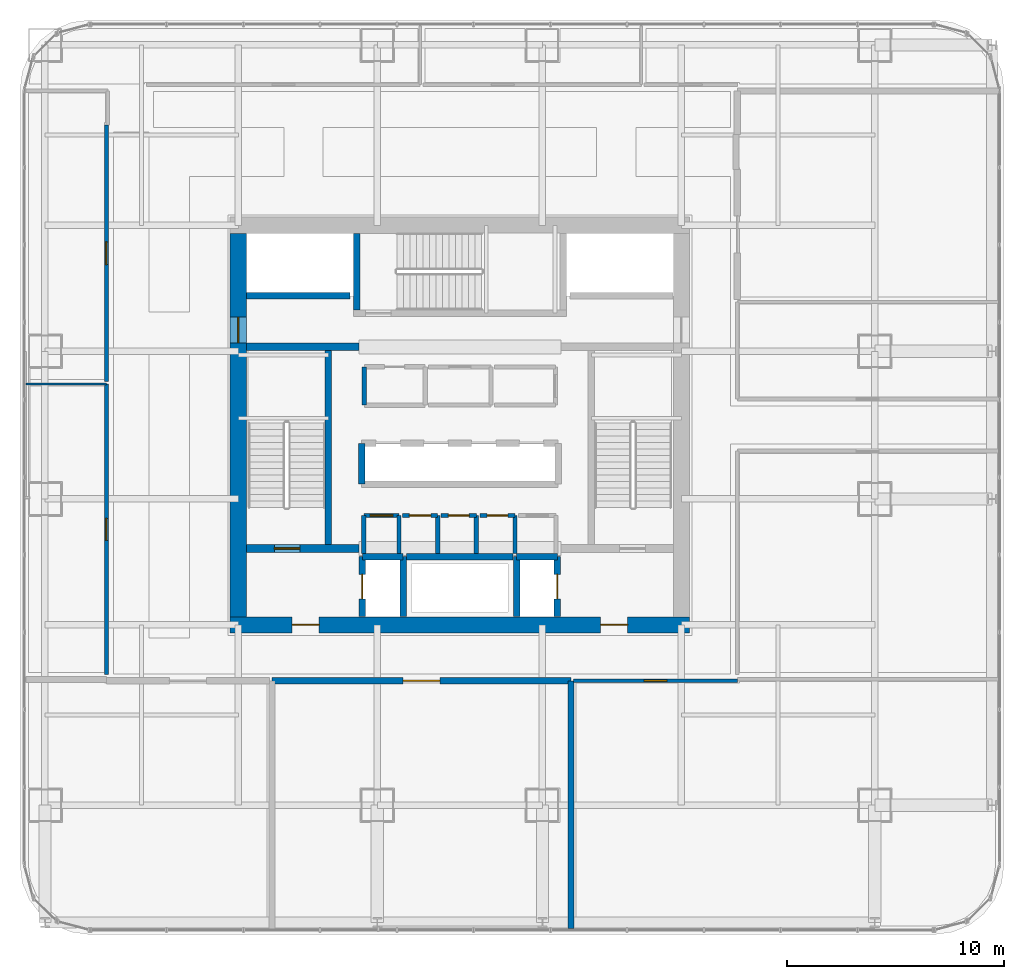
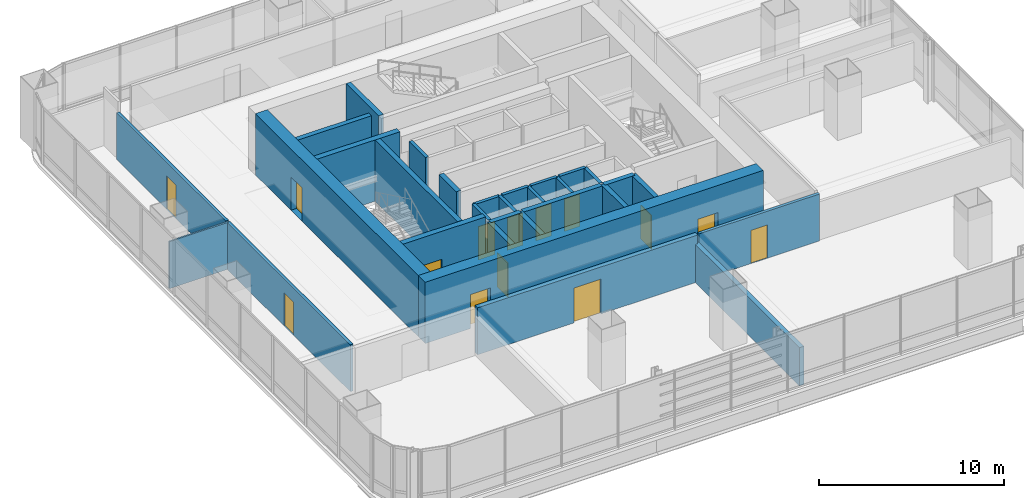
# One storey, part 27 of 34: 31 walls, 14 doors, 14 openings.
"""IFC4 building model written with IfcOpenShell, lengths in metres."""

from ifc_helpers import new_model, si_unit, direction, frame, frame_2d, origin, place, context, subcontext, project, spatial, rectangle, extrude, material, layer, layer_set, type_object, element, fill, save


model = new_model("IFC4")

# Units and contexts
model_context = context("Model", 3, precision=1e-05, world=origin(), true_north=direction((0.0, 1.0)))
body_context = subcontext(model_context, "Body", "Model", "MODEL_VIEW")
ifc_project = project(units=[si_unit("LENGTHUNIT", "METRE"), si_unit("AREAUNIT", "SQUARE_METRE"), si_unit("VOLUMEUNIT", "CUBIC_METRE"), si_unit("PLANEANGLEUNIT", "RADIAN"), si_unit("MASSUNIT", "GRAM", prefix="KILO")], contexts=[model_context])

# Site, building, storey
site_placement = place(None, origin())
site = spatial("IfcSite", under=ifc_project, at=site_placement, CompositionType="ELEMENT")
building_placement = place(site_placement, origin())
building = spatial("IfcBuilding", under=site, at=building_placement, Name="Punatoya Terracotta Tower", CompositionType="ELEMENT")
storey_placement = place(building_placement, frame((0.0, 0.0, 80.85009765625)))
storey = spatial("IfcBuildingStorey", under=building, at=storey_placement, Name="L18", CompositionType="ELEMENT", Elevation=80.85009765625)

# Wall
ifc_material_1 = material(Name="Concrete C40/50", Category="concrete")
ifc_layer_1 = layer(ifc_material_1, 0.280029296875)
ifc_layer_set_1 = layer_set([ifc_layer_1], Name="Concrete C40/50")
wall_type_1 = type_object("IfcWallType", Name="WL-AUD-280", PredefinedType="SOLIDWALL", material=ifc_layer_set_1)
wall_1_placement = place(storey_placement, frame((5.117919921875, -11.77001953125, 0.0), z_axis=(0.0, 0.0, 1.0), x_axis=(0.0, -1.0, 0.0)))
element("IfcWall", 1, at=wall_1_placement, inside=storey, type_object=wall_type_1, Name="L18 Client Dining Salon Partition 22", PredefinedType="SOLIDWALL", context=body_context, shape_type="SweptSolid", body=[
    extrude(rectangle(XDim=11.39990234375, YDim=0.280029296875, at=frame_2d((5.699951171875, 0.0))), origin(), (0.0, 0.0, 1.0), 2.52392578125),
])

# Wall, opening, door
wall_2_placement = place(storey_placement, frame((-8.652099609375, -11.77001953125, 0.0), z_axis=(0.0, 0.0, 1.0), x_axis=(1.0, 0.0, 0.0)))
wall_2 = element("IfcWall", 2, at=wall_2_placement, inside=storey, type_object=wall_type_1, Name="L18 Client Dining Salon Partition 24", PredefinedType="SOLIDWALL", context=body_context, shape_type="SweptSolid", body=[
    extrude(rectangle(XDim=13.77001953125, YDim=0.280029296875, at=frame_2d((6.885009765625, 0.0))), origin(), (0.0, 0.0, 1.0), 3.10400390625),
])
opening_1_placement = place(wall_2_placement, frame((6.034912109375, 0.0, 0.0)))
opening_1 = element("IfcOpeningElement", 3, at=opening_1_placement, cuts=wall_2, Name="Opening FD-D1", PredefinedType="OPENING", context=body_context, shape_type="SweptSolid", body=[
    extrude(rectangle(XDim=1.699951171875, YDim=2.300048828125, at=frame_2d((0.85009765625, 1.14990234375))), frame((0.0, 0.14990234375, 0.0), z_axis=(0.0, -1.0, 0.0), x_axis=(1.0, 0.0, 0.0)), (0.0, 0.0, 1.0), 0.300048828125),
])
ifc_material_2 = material(Name="Timber Teak Veneer Fire Leaf", Category="wood")
door_type_1 = type_object("IfcDoorType", Name="DR-DIN-1700", OperationType="NOTDEFINED", PredefinedType="DOOR", material=ifc_material_2)
door_1_placement = place(opening_1_placement, origin())
door_1 = element("IfcDoor", 4, at=door_1_placement, inside=storey, type_object=door_type_1, Name="L18 Client Dining Salon Fire Door", OperationType="DOUBLE_DOOR_SINGLE_SWING", OverallHeight=2.300048828125, OverallWidth=1.699951171875, PredefinedType="DOOR", context=body_context, shape_type="SweptSolid", body=[
    extrude(rectangle(XDim=1.699951171875, YDim=2.300048828125, at=frame_2d((0.85009765625, 1.14990234375))), frame((0.0, 0.02490234375, 0.0), z_axis=(0.0, -1.0, 0.0), x_axis=(1.0, 0.0, 0.0)), (0.0, 0.0, 1.0), 0.050048828125),
])
fill(opening_1, door_1)

# Wall, openings, doors
ifc_material_3 = material(Name="Concrete C60/75", Category="concrete")
ifc_layer_2 = layer(ifc_material_3, 0.75)
ifc_layer_set_2 = layer_set([ifc_layer_2], Name="Concrete C60/75")
wall_type_2 = type_object("IfcWallType", Name="WL-COR-750", PredefinedType="SHEAR", material=ifc_layer_set_2)
wall_3_placement = place(storey_placement, frame((10.574951171875, -9.199951171875, 0.0), z_axis=(0.0, 0.0, 1.0), x_axis=(-1.0, 0.0, 0.0)))
wall_3 = element("IfcWall", 5, at=wall_3_placement, inside=storey, type_object=wall_type_2, Name="L18 Core Shear Wall S", PredefinedType="SHEAR", context=body_context, shape_type="SweptSolid", body=[
    extrude(rectangle(XDim=21.14990234375, YDim=0.75, at=frame_2d((10.574951171875, 0.0))), origin(), (0.0, 0.0, 1.0), 4.0498046875),
])
opening_2_placement = place(wall_3_placement, frame((2.85009765625, 0.0, 0.0)))
opening_2 = element("IfcOpeningElement", 6, at=opening_2_placement, cuts=wall_3, Name="Opening FD-L1", PredefinedType="OPENING", context=body_context, shape_type="SweptSolid", body=[
    extrude(rectangle(XDim=1.25, YDim=2.25, at=frame_2d((0.625, 1.125))), frame((0.0, 0.385009765625, 0.0), z_axis=(0.0, -1.0, 0.0), x_axis=(1.0, 0.0, 0.0)), (0.0, 0.0, 1.0), 0.77001953125),
])
opening_3_placement = place(wall_3_placement, frame((17.050048828125, 0.0, 0.0)))
opening_3 = element("IfcOpeningElement", 7, at=opening_3_placement, cuts=wall_3, Name="Opening FD-L1", PredefinedType="OPENING", context=body_context, shape_type="SweptSolid", body=[
    extrude(rectangle(XDim=1.25, YDim=2.25, at=frame_2d((0.625, 1.125))), frame((0.0, 0.385009765625, 0.0), z_axis=(0.0, -1.0, 0.0), x_axis=(1.0, 0.0, 0.0)), (0.0, 0.0, 1.0), 0.77001953125),
])
ifc_material_4 = material(Name="Galvanised Steel Smokeproof Fire Door", Category="steel")
door_type_2 = type_object("IfcDoorType", Name="DR-FFL-1250", OperationType="NOTDEFINED", PredefinedType="DOOR", material=ifc_material_4)
door_2_placement = place(opening_2_placement, origin())
door_2 = element("IfcDoor", 8, at=door_2_placement, inside=storey, type_object=door_type_2, Name="L18 East Firefighting Lobby Corridor Fire Door", OperationType="SINGLE_SWING_LEFT", OverallHeight=2.25, OverallWidth=1.25, PredefinedType="DOOR", context=body_context, shape_type="SweptSolid", body=[
    extrude(rectangle(XDim=1.25, YDim=2.25, at=frame_2d((0.625, 1.125))), frame((0.0, 0.02490234375, 0.0), z_axis=(0.0, -1.0, 0.0), x_axis=(1.0, 0.0, 0.0)), (0.0, 0.0, 1.0), 0.050048828125),
])
fill(opening_2, door_2)
door_3_placement = place(opening_3_placement, origin())
door_3 = element("IfcDoor", 9, at=door_3_placement, inside=storey, type_object=door_type_2, Name="L18 West Firefighting Lobby Corridor Fire Door", OperationType="SINGLE_SWING_RIGHT", OverallHeight=2.25, OverallWidth=1.25, PredefinedType="DOOR", context=body_context, shape_type="SweptSolid", body=[
    extrude(rectangle(XDim=1.25, YDim=2.25, at=frame_2d((0.625, 1.125))), frame((0.0, 0.02490234375, 0.0), z_axis=(0.0, -1.0, 0.0), x_axis=(1.0, 0.0, 0.0)), (0.0, 0.0, 1.0), 0.050048828125),
])
fill(opening_3, door_3)

# Wall, opening, door
wall_4_placement = place(storey_placement, frame((-10.199951171875, -8.824951171875, 0.0), z_axis=(0.0, 0.0, 1.0), x_axis=(0.0, 1.0, 0.0)))
wall_4 = element("IfcWall", 10, at=wall_4_placement, inside=storey, type_object=wall_type_2, Name="L18 Core Shear Wall W", PredefinedType="SHEAR", context=body_context, shape_type="SweptSolid", body=[
    extrude(rectangle(XDim=17.64990234375, YDim=0.75, at=frame_2d((8.824951171875, 0.0))), origin(), (0.0, 0.0, 1.0), 4.0498046875),
])
opening_4_placement = place(wall_4_placement, frame((12.614990234375, 0.0, 0.0)))
opening_4 = element("IfcOpeningElement", 11, at=opening_4_placement, cuts=wall_4, Name="Opening SD-01", PredefinedType="OPENING", context=body_context, shape_type="SweptSolid", body=[
    extrude(rectangle(XDim=1.179931640625, YDim=2.199951171875, at=frame_2d((0.58984375, 1.10009765625))), frame((0.0, 0.385009765625, 0.0), z_axis=(0.0, -1.0, 0.0), x_axis=(1.0, 0.0, 0.0)), (0.0, 0.0, 1.0), 0.77001953125),
])
ifc_material_5 = material(Name="Galvanised Steel Pressurized Stair Fire Door", Category="steel")
door_type_3 = type_object("IfcDoorType", Name="DR-STR-1180", OperationType="NOTDEFINED", PredefinedType="DOOR", material=ifc_material_5)
door_4_placement = place(opening_4_placement, origin())
door_4 = element("IfcDoor", 12, at=door_4_placement, inside=storey, type_object=door_type_3, Name="L18 Central Lift Lobby West Fire Door", OperationType="SINGLE_SWING_LEFT", OverallHeight=2.199951171875, OverallWidth=1.179931640625, PredefinedType="DOOR", context=body_context, shape_type="SweptSolid", body=[
    extrude(rectangle(XDim=1.179931640625, YDim=2.199951171875, at=frame_2d((0.58984375, 1.10009765625))), frame((0.0, 0.02490234375, 0.0), z_axis=(0.0, -1.0, 0.0), x_axis=(1.0, 0.0, 0.0)), (0.0, 0.0, 1.0), 0.050048828125),
])
fill(opening_4, door_4)

ifc_material_6 = material(Name="Gypsum Fireboard + Steel Stud", Category="steel")
ifc_layer_3 = layer(ifc_material_6, 0.179931640625)
ifc_layer_set_3 = layer_set([ifc_layer_3], Name="Gypsum Fireboard + Steel Stud")
wall_type_3 = type_object("IfcWallType", Name="WL-CORR-180", PredefinedType="PARTITIONING", material=ifc_layer_set_3)
wall_5_placement = place(storey_placement, frame((5.238037109375, -11.77001953125, 0.0), z_axis=(0.0, 0.0, 1.0), x_axis=(1.0, 0.0, 0.0)))
wall_5 = element("IfcWall", 13, at=wall_5_placement, inside=storey, type_object=wall_type_3, Name="L18 Catering Tea Pantry Partition 28", PredefinedType="PARTITIONING", context=body_context, shape_type="SweptSolid", body=[
    extrude(rectangle(XDim=7.531982421875, YDim=0.179931640625, at=frame_2d((3.76611328125, 0.0))), origin(), (0.0, 0.0, 1.0), 3.10400390625),
])
opening_5_placement = place(wall_5_placement, frame((3.240966796875, 0.0, 0.0)))
opening_5 = element("IfcOpeningElement", 14, at=opening_5_placement, cuts=wall_5, Name="Opening OD-01", PredefinedType="OPENING", context=body_context, shape_type="SweptSolid", body=[
    extrude(rectangle(XDim=1.050048828125, YDim=2.199951171875, at=frame_2d((0.52490234375, 1.10009765625))), frame((0.0, 0.099853515625, 0.0), z_axis=(0.0, -1.0, 0.0), x_axis=(1.0, 0.0, 0.0)), (0.0, 0.0, 1.0), 0.199951171875),
])
ifc_material_7 = material(Name="Bengal Teak Solid-Core Leaf")
door_type_4 = type_object("IfcDoorType", Name="DR-OFF-1050", OperationType="NOTDEFINED", PredefinedType="DOOR", material=ifc_material_7)
door_5_placement = place(opening_5_placement, origin())
door_5 = element("IfcDoor", 15, at=door_5_placement, inside=storey, type_object=door_type_4, Name="L18 Catering Tea Pantry Door", OperationType="SINGLE_SWING_RIGHT", OverallHeight=2.199951171875, OverallWidth=1.050048828125, PredefinedType="DOOR", context=body_context, shape_type="SweptSolid", body=[
    extrude(rectangle(XDim=1.050048828125, YDim=2.199951171875, at=frame_2d((0.52490234375, 1.10009765625))), frame((0.0, 0.02490234375, 0.0), z_axis=(0.0, -1.0, 0.0), x_axis=(1.0, 0.0, 0.0)), (0.0, 0.0, 1.0), 0.050048828125),
])
fill(opening_5, door_5)

wall_6_placement = place(storey_placement, frame((-16.27001953125, 1.889892578125, 0.0), z_axis=(0.0, 0.0, 1.0), x_axis=(0.0, -1.0, 0.0)))
wall_6 = element("IfcWall", 16, at=wall_6_placement, inside=storey, type_object=wall_type_3, Name="L18 Open-Plan Private Dining Boardroom Partition 32", PredefinedType="PARTITIONING", context=body_context, shape_type="SweptSolid", body=[
    extrude(rectangle(XDim=13.3798828125, YDim=0.179931640625, at=frame_2d((6.68994140625, 0.0))), origin(), (0.0, 0.0, 1.0), 3.10400390625),
])
opening_6_placement = place(wall_6_placement, frame((6.179931640625, 0.0, 0.0)))
opening_6 = element("IfcOpeningElement", 17, at=opening_6_placement, cuts=wall_6, Name="Opening MD-01", PredefinedType="OPENING", context=body_context, shape_type="SweptSolid", body=[
    extrude(rectangle(XDim=1.02001953125, YDim=2.199951171875, at=frame_2d((0.510009765625, 1.10009765625))), frame((0.0, 0.099853515625, 0.0), z_axis=(0.0, -1.0, 0.0), x_axis=(1.0, 0.0, 0.0)), (0.0, 0.0, 1.0), 0.199951171875),
])
ifc_material_8 = material(Name="Aluminium + Acoustic Glass Leaf", Category="aluminium")
door_type_5 = type_object("IfcDoorType", Name="DR-MTG-1020", OperationType="NOTDEFINED", PredefinedType="DOOR", material=ifc_material_8)
door_6_placement = place(opening_6_placement, origin())
door_6 = element("IfcDoor", 18, at=door_6_placement, inside=storey, type_object=door_type_5, Name="L18 Open-Plan Private Dining Boardroom Door", OperationType="SINGLE_SWING_RIGHT", OverallHeight=2.199951171875, OverallWidth=1.02001953125, PredefinedType="DOOR", context=body_context, shape_type="SweptSolid", body=[
    extrude(rectangle(XDim=1.02001953125, YDim=2.199951171875, at=frame_2d((0.510009765625, 1.10009765625))), frame((0.0, 0.02490234375, 0.0), z_axis=(0.0, -1.0, 0.0), x_axis=(1.0, 0.0, 0.0)), (0.0, 0.0, 1.0), 0.050048828125),
])
fill(opening_6, door_6)

wall_7_placement = place(storey_placement, frame((-16.27001953125, 13.820068359375, 0.0), z_axis=(0.0, 0.0, 1.0), x_axis=(0.0, -1.0, 0.0)))
wall_7 = element("IfcWall", 19, at=wall_7_placement, inside=storey, type_object=wall_type_3, Name="L18 Open-Plan Barista Espresso Pantry Partition 38", PredefinedType="PARTITIONING", context=body_context, shape_type="SweptSolid", body=[
    extrude(rectangle(XDim=11.81005859375, YDim=0.179931640625, at=frame_2d((5.905029296875, 0.0))), origin(), (0.0, 0.0, 1.0), 3.10400390625),
])
opening_7_placement = place(wall_7_placement, frame((5.3798828125, 0.0, 0.0)))
opening_7 = element("IfcOpeningElement", 20, at=opening_7_placement, cuts=wall_7, Name="Opening OD-01", PredefinedType="OPENING", context=body_context, shape_type="SweptSolid", body=[
    extrude(rectangle(XDim=1.050048828125, YDim=2.199951171875, at=frame_2d((0.52490234375, 1.10009765625))), frame((0.0, 0.099853515625, 0.0), z_axis=(0.0, -1.0, 0.0), x_axis=(1.0, 0.0, 0.0)), (0.0, 0.0, 1.0), 0.199951171875),
])
door_7_placement = place(opening_7_placement, origin())
door_7 = element("IfcDoor", 21, at=door_7_placement, inside=storey, type_object=door_type_4, Name="L18 Open-Plan Barista Espresso Pantry Door", OperationType="SINGLE_SWING_RIGHT", OverallHeight=2.199951171875, OverallWidth=1.050048828125, PredefinedType="DOOR", context=body_context, shape_type="SweptSolid", body=[
    extrude(rectangle(XDim=1.050048828125, YDim=2.199951171875, at=frame_2d((0.52490234375, 1.10009765625))), frame((0.0, 0.02490234375, 0.0), z_axis=(0.0, -1.0, 0.0), x_axis=(1.0, 0.0, 0.0)), (0.0, 0.0, 1.0), 0.050048828125),
])
fill(opening_7, door_7)

# Walls
ifc_material_9 = material(Name="Aluminium Framed Acoustic Glass Partition", Category="aluminium")
ifc_layer_4 = layer(ifc_material_9, 0.10009765625)
ifc_layer_set_4 = layer_set([ifc_layer_4], Name="Aluminium Framed Acoustic Glass Partition")
wall_type_4 = type_object("IfcWallType", Name="WL-GLZ-100", PredefinedType="PARTITIONING", material=ifc_layer_set_4)
wall_8_placement = place(storey_placement, frame((-19.969970703125, 1.889892578125, 0.0), z_axis=(0.0, 0.0, 1.0), x_axis=(1.0, 0.0, 0.0)))
element("IfcWall", 22, at=wall_8_placement, inside=storey, type_object=wall_type_4, Name="L18 Open-Plan Private Dining Boardroom Partition 31", PredefinedType="PARTITIONING", context=body_context, shape_type="SweptSolid", body=[
    extrude(rectangle(XDim=3.699951171875, YDim=0.10009765625, at=frame_2d((1.85009765625, 0.0))), origin(), (0.0, 0.0, 1.0), 3.10400390625),
])
ifc_layer_5 = layer(ifc_material_1, 0.199951171875)
ifc_layer_set_5 = layer_set([ifc_layer_5], Name="Concrete C40/50")
wall_type_5 = type_object("IfcWallType", Name="WL-INT-200", PredefinedType="SOLIDWALL", material=ifc_layer_set_5)
wall_9_placement = place(storey_placement, frame((-2.800048828125, -5.89990234375, 0.0), z_axis=(0.0, 0.0, 1.0), x_axis=(0.0, 1.0, 0.0)))
element("IfcWall", 23, at=wall_9_placement, inside=storey, type_object=wall_type_5, Name="L18 Core Tea Pantry Partition 01", PredefinedType="SOLIDWALL", context=body_context, shape_type="SweptSolid", body=[
    extrude(rectangle(XDim=1.739990234375, YDim=0.199951171875, at=frame_2d((0.8701171875, 0.0))), origin(), (0.0, 0.0, 1.0), 3.809814453125),
])

# Wall, opening, door
wall_10_placement = place(storey_placement, frame((-2.800048828125, -4.159912109375, 0.0), z_axis=(0.0, 0.0, 1.0), x_axis=(-1.0, 0.0, 0.0)))
wall_10 = element("IfcWall", 24, at=wall_10_placement, inside=storey, type_object=wall_type_5, Name="L18 Core Tea Pantry Partition 02", PredefinedType="SOLIDWALL", context=body_context, shape_type="SweptSolid", body=[
    extrude(rectangle(XDim=1.619873046875, YDim=0.199951171875, at=frame_2d((0.81005859375, 0.0))), origin(), (0.0, 0.0, 1.0), 3.809814453125),
])
opening_8_placement = place(wall_10_placement, frame((0.284912109375, 0.0, 0.0)))
opening_8 = element("IfcOpeningElement", 25, at=opening_8_placement, cuts=wall_10, Name="Opening OD-01", PredefinedType="OPENING", context=body_context, shape_type="SweptSolid", body=[
    extrude(rectangle(XDim=1.050048828125, YDim=2.199951171875, at=frame_2d((0.52490234375, 1.10009765625))), frame((0.0, 0.10986328125, 0.0), z_axis=(0.0, -1.0, 0.0), x_axis=(1.0, 0.0, 0.0)), (0.0, 0.0, 1.0), 0.219970703125),
])
door_8_placement = place(opening_8_placement, origin())
door_8 = element("IfcDoor", 26, at=door_8_placement, inside=storey, type_object=door_type_4, Name="L18 Tea Pantry Door", OperationType="SINGLE_SWING_RIGHT", OverallHeight=2.199951171875, OverallWidth=1.050048828125, PredefinedType="DOOR", context=body_context, shape_type="SweptSolid", body=[
    extrude(rectangle(XDim=1.050048828125, YDim=2.199951171875, at=frame_2d((0.52490234375, 1.10009765625))), frame((0.0, 0.02490234375, 0.0), z_axis=(0.0, -1.0, 0.0), x_axis=(1.0, 0.0, 0.0)), (0.0, 0.0, 1.0), 0.050048828125),
])
fill(opening_8, door_8)

# Walls
for number, where, z_axis, x_axis, name in (
    (27, (-4.419921875, -4.159912109375, 0.0), (0.0, 0.0, 1.0), (0.0, -1.0, 0.0), "L18 Core Tea Pantry Partition 03"),
    (28, (-1.02001953125, -5.89990234375, 0.0), (0.0, 0.0, 1.0), (0.0, 1.0, 0.0), "L18 Accessible Washroom Partition 04"),
):
    element("IfcWall", number, at=place(storey_placement, frame(where, z_axis=z_axis, x_axis=x_axis)), inside=storey, type_object=wall_type_5, Name=name, PredefinedType="SOLIDWALL", context=body_context, shape_type="SweptSolid", body=[
        extrude(rectangle(XDim=1.739990234375, YDim=0.199951171875, at=frame_2d((0.8701171875, 0.0))), origin(), (0.0, 0.0, 1.0), 3.809814453125),
    ])

# Wall, opening, door
wall_11_placement = place(storey_placement, frame((-1.02001953125, -4.159912109375, 0.0), z_axis=(0.0, 0.0, 1.0), x_axis=(-1.0, 0.0, 0.0)))
wall_11 = element("IfcWall", 29, at=wall_11_placement, inside=storey, type_object=wall_type_5, Name="L18 Accessible Washroom Partition 05", PredefinedType="SOLIDWALL", context=body_context, shape_type="SweptSolid", body=[
    extrude(rectangle(XDim=1.619873046875, YDim=0.199951171875, at=frame_2d((0.81005859375, 0.0))), origin(), (0.0, 0.0, 1.0), 3.809814453125),
])
opening_9_placement = place(wall_11_placement, frame((0.31005859375, 0.0, 0.0)))
opening_9 = element("IfcOpeningElement", 30, at=opening_9_placement, cuts=wall_11, Name="Opening AWD-1", PredefinedType="OPENING", context=body_context, shape_type="SweptSolid", body=[
    extrude(rectangle(XDim=1.0, YDim=2.14990234375, at=frame_2d((0.5, 1.074951171875))), frame((0.0, 0.10986328125, 0.0), z_axis=(0.0, -1.0, 0.0), x_axis=(1.0, 0.0, 0.0)), (0.0, 0.0, 1.0), 0.219970703125),
])
ifc_material_10 = material(Name="Bengal Teak Accessible WC Leaf")
door_type_6 = type_object("IfcDoorType", Name="DR-ACC-1000", OperationType="NOTDEFINED", PredefinedType="DOOR", material=ifc_material_10)
door_9_placement = place(opening_9_placement, origin())
door_9 = element("IfcDoor", 31, at=door_9_placement, inside=storey, type_object=door_type_6, Name="L18 Accessible Washroom Door", OperationType="SINGLE_SWING_LEFT", OverallHeight=2.14990234375, OverallWidth=1.0, PredefinedType="DOOR", context=body_context, shape_type="SweptSolid", body=[
    extrude(rectangle(XDim=1.0, YDim=2.14990234375, at=frame_2d((0.5, 1.074951171875))), frame((0.0, 0.02490234375, 0.0), z_axis=(0.0, -1.0, 0.0), x_axis=(1.0, 0.0, 0.0)), (0.0, 0.0, 1.0), 0.050048828125),
])
fill(opening_9, door_9)

# Wall
wall_12_placement = place(storey_placement, frame((0.760009765625, -5.89990234375, 0.0), z_axis=(0.0, 0.0, 1.0), x_axis=(0.0, 1.0, 0.0)))
element("IfcWall", 32, at=wall_12_placement, inside=storey, type_object=wall_type_5, Name="L18 Female Washroom Partition 06", PredefinedType="SOLIDWALL", context=body_context, shape_type="SweptSolid", body=[
    extrude(rectangle(XDim=1.739990234375, YDim=0.199951171875, at=frame_2d((0.8701171875, 0.0))), origin(), (0.0, 0.0, 1.0), 3.809814453125),
])

# Wall, opening, door
wall_13_placement = place(storey_placement, frame((0.760009765625, -4.159912109375, 0.0), z_axis=(0.0, 0.0, 1.0), x_axis=(-1.0, 0.0, 0.0)))
wall_13 = element("IfcWall", 33, at=wall_13_placement, inside=storey, type_object=wall_type_5, Name="L18 Female Washroom Partition 07", PredefinedType="SOLIDWALL", context=body_context, shape_type="SweptSolid", body=[
    extrude(rectangle(XDim=1.6201171875, YDim=0.199951171875, at=frame_2d((0.81005859375, 0.0))), origin(), (0.0, 0.0, 1.0), 3.809814453125),
])
opening_10_placement = place(wall_13_placement, frame((0.3349609375, 0.0, 0.0)))
opening_10 = element("IfcOpeningElement", 34, at=opening_10_placement, cuts=wall_13, Name="Opening WD-01", PredefinedType="OPENING", context=body_context, shape_type="SweptSolid", body=[
    extrude(rectangle(XDim=0.949951171875, YDim=2.14990234375, at=frame_2d((0.47509765625, 1.074951171875))), frame((0.0, 0.10986328125, 0.0), z_axis=(0.0, -1.0, 0.0), x_axis=(1.0, 0.0, 0.0)), (0.0, 0.0, 1.0), 0.219970703125),
])
ifc_material_11 = material(Name="Moisture-Resistant Laminate Timber Leaf", Category="wood")
door_type_7 = type_object("IfcDoorType", Name="DR-WC-950", OperationType="NOTDEFINED", PredefinedType="DOOR", material=ifc_material_11)
door_10_placement = place(opening_10_placement, origin())
door_10 = element("IfcDoor", 35, at=door_10_placement, inside=storey, type_object=door_type_7, Name="L18 Female Washroom Door", OperationType="SINGLE_SWING_RIGHT", OverallHeight=2.14990234375, OverallWidth=0.949951171875, PredefinedType="DOOR", context=body_context, shape_type="SweptSolid", body=[
    extrude(rectangle(XDim=0.949951171875, YDim=2.14990234375, at=frame_2d((0.47509765625, 1.074951171875))), frame((0.0, 0.02490234375, 0.0), z_axis=(0.0, -1.0, 0.0), x_axis=(1.0, 0.0, 0.0)), (0.0, 0.0, 1.0), 0.050048828125),
])
fill(opening_10, door_10)

# Wall
wall_14_placement = place(storey_placement, frame((2.5400390625, -5.89990234375, 0.0), z_axis=(0.0, 0.0, 1.0), x_axis=(0.0, 1.0, 0.0)))
element("IfcWall", 36, at=wall_14_placement, inside=storey, type_object=wall_type_5, Name="L18 Male Washroom Partition 08", PredefinedType="SOLIDWALL", context=body_context, shape_type="SweptSolid", body=[
    extrude(rectangle(XDim=1.739990234375, YDim=0.199951171875, at=frame_2d((0.8701171875, 0.0))), origin(), (0.0, 0.0, 1.0), 3.809814453125),
])

# Wall, opening, door
wall_15_placement = place(storey_placement, frame((2.5400390625, -4.159912109375, 0.0), z_axis=(0.0, 0.0, 1.0), x_axis=(-1.0, 0.0, 0.0)))
wall_15 = element("IfcWall", 37, at=wall_15_placement, inside=storey, type_object=wall_type_5, Name="L18 Male Washroom Partition 09", PredefinedType="SOLIDWALL", context=body_context, shape_type="SweptSolid", body=[
    extrude(rectangle(XDim=1.6201171875, YDim=0.199951171875, at=frame_2d((0.81005859375, 0.0))), origin(), (0.0, 0.0, 1.0), 3.809814453125),
])
opening_11_placement = place(wall_15_placement, frame((0.3349609375, 0.0, 0.0)))
opening_11 = element("IfcOpeningElement", 38, at=opening_11_placement, cuts=wall_15, Name="Opening WD-01", PredefinedType="OPENING", context=body_context, shape_type="SweptSolid", body=[
    extrude(rectangle(XDim=0.949951171875, YDim=2.14990234375, at=frame_2d((0.47509765625, 1.074951171875))), frame((0.0, 0.10986328125, 0.0), z_axis=(0.0, -1.0, 0.0), x_axis=(1.0, 0.0, 0.0)), (0.0, 0.0, 1.0), 0.219970703125),
])
door_11_placement = place(opening_11_placement, origin())
door_11 = element("IfcDoor", 39, at=door_11_placement, inside=storey, type_object=door_type_7, Name="L18 Male Washroom Door", OperationType="SINGLE_SWING_LEFT", OverallHeight=2.14990234375, OverallWidth=0.949951171875, PredefinedType="DOOR", context=body_context, shape_type="SweptSolid", body=[
    extrude(rectangle(XDim=0.949951171875, YDim=2.14990234375, at=frame_2d((0.47509765625, 1.074951171875))), frame((0.0, 0.02490234375, 0.0), z_axis=(0.0, -1.0, 0.0), x_axis=(1.0, 0.0, 0.0)), (0.0, 0.0, 1.0), 0.050048828125),
])
fill(opening_11, door_11)

# Walls
wall_16_placement = place(storey_placement, frame((-4.39990234375, 2.679931640625, 0.0), z_axis=(0.0, 0.0, 1.0), x_axis=(0.0, -1.0, 0.0)))
element("IfcWall", 40, at=wall_16_placement, inside=storey, type_object=wall_type_5, Name="L18 Left Core Store Partition 14", PredefinedType="SOLIDWALL", context=body_context, shape_type="SweptSolid", body=[
    extrude(rectangle(XDim=1.760009765625, YDim=0.199951171875, at=frame_2d((0.8798828125, 0.0))), origin(), (0.0, 0.0, 1.0), 3.809814453125),
])
ifc_layer_6 = layer(ifc_material_1, 0.300048828125)
ifc_layer_set_6 = layer_set([ifc_layer_6], Name="Concrete C40/50")
wall_type_6 = type_object("IfcWallType", Name="WL-SHF-300", PredefinedType="SOLIDWALL", material=ifc_layer_set_6)
wall_17_placement = place(storey_placement, frame((-6.050048828125, -5.5, 0.0), z_axis=(0.0, 0.0, 1.0), x_axis=(0.0, 1.0, 0.0)))
element("IfcWall", 41, at=wall_17_placement, inside=storey, type_object=wall_type_6, Name="L18 Structural Stair Shaft Wall SW-ST1-E", PredefinedType="SOLIDWALL", context=body_context, shape_type="SweptSolid", body=[
    extrude(rectangle(XDim=8.949951171875, YDim=0.300048828125, at=frame_2d((4.47509765625, 0.0))), origin(), (0.0, 0.0, 1.0), 4.0498046875),
])
wall_18_placement = place(storey_placement, frame((-4.75, 5.300048828125, 0.0), z_axis=(0.0, 0.0, 1.0), x_axis=(0.0, 1.0, 0.0)))
element("IfcWall", 42, at=wall_18_placement, inside=storey, type_object=wall_type_6, Name="L18 Structural Stair Shaft Wall SW-ST3-W", PredefinedType="SOLIDWALL", context=body_context, shape_type="SweptSolid", body=[
    extrude(rectangle(XDim=3.52490234375, YDim=0.300048828125, at=frame_2d((1.762451171875, 0.0))), origin(), (0.0, 0.0, 1.0), 4.0498046875),
])

# Wall, opening, door
wall_19_placement = place(storey_placement, frame((-4.489990234375, -8.820068359375, 0.0), z_axis=(0.0, 0.0, 1.0), x_axis=(0.0, 1.0, 0.0)))
wall_19 = element("IfcWall", 43, at=wall_19_placement, inside=storey, type_object=wall_type_6, Name="L18 FFL-1 Front Hoistway Wall", PredefinedType="SOLIDWALL", context=body_context, shape_type="SweptSolid", body=[
    extrude(rectangle(XDim=2.77001953125, YDim=0.300048828125, at=frame_2d((1.385009765625, 0.0))), origin(), (0.0, 0.0, 1.0), 3.809814453125),
])
opening_12_placement = place(wall_19_placement, frame((0.824951171875, 0.0, 0.0)))
opening_12 = element("IfcOpeningElement", 44, at=opening_12_placement, cuts=wall_19, Name="Opening LD-02", PredefinedType="OPENING", context=body_context, shape_type="SweptSolid", body=[
    extrude(rectangle(XDim=1.1201171875, YDim=2.25, at=frame_2d((0.56005859375, 1.125))), frame((0.0, 0.159912109375, 0.0), z_axis=(0.0, -1.0, 0.0), x_axis=(1.0, 0.0, 0.0)), (0.0, 0.0, 1.0), 0.320068359375),
])
ifc_material_12 = material(Name="Stainless Steel Lift Landing Door", Category="steel")
door_type_8 = type_object("IfcDoorType", Name="DR-LND-1120", OperationType="NOTDEFINED", PredefinedType="DOOR", material=ifc_material_12)
door_12_placement = place(opening_12_placement, origin())
door_12 = element("IfcDoor", 45, at=door_12_placement, inside=storey, type_object=door_type_8, Name="L18 Firefighting Lift FFL-1 Sliding Landing Door", OperationType="SLIDING_TO_LEFT", OverallHeight=2.25, OverallWidth=1.1201171875, PredefinedType="DOOR", context=body_context, shape_type="SweptSolid", body=[
    extrude(rectangle(XDim=1.1201171875, YDim=2.25, at=frame_2d((0.56005859375, 1.125))), frame((0.0, 0.02490234375, 0.0), z_axis=(0.0, -1.0, 0.0), x_axis=(1.0, 0.0, 0.0)), (0.0, 0.0, 1.0), 0.050048828125),
])
fill(opening_12, door_12)

# Walls
wall_20_placement = place(storey_placement, frame((-2.610107421875, -8.820068359375, 0.0), z_axis=(0.0, 0.0, 1.0), x_axis=(0.0, 1.0, 0.0)))
element("IfcWall", 46, at=wall_20_placement, inside=storey, type_object=wall_type_6, Name="L18 FFL-1 Rear Hoistway Wall", PredefinedType="SOLIDWALL", context=body_context, shape_type="SweptSolid", body=[
    extrude(rectangle(XDim=2.77001953125, YDim=0.300048828125, at=frame_2d((1.385009765625, 0.0))), origin(), (0.0, 0.0, 1.0), 3.809814453125),
])
wall_21_placement = place(storey_placement, frame((-4.489990234375, -6.050048828125, 0.0), z_axis=(0.0, 0.0, 1.0), x_axis=(1.0, 0.0, 0.0)))
element("IfcWall", 47, at=wall_21_placement, inside=storey, type_object=wall_type_6, Name="L18 FFL-1 North Hoistway Wall", PredefinedType="SOLIDWALL", context=body_context, shape_type="SweptSolid", body=[
    extrude(rectangle(XDim=1.8798828125, YDim=0.300048828125, at=frame_2d((0.93994140625, 0.0))), origin(), (0.0, 0.0, 1.0), 3.809814453125),
])

# Wall, opening, door
wall_22_placement = place(storey_placement, frame((4.489990234375, -8.820068359375, 0.0), z_axis=(0.0, 0.0, 1.0), x_axis=(0.0, 1.0, 0.0)))
wall_22 = element("IfcWall", 48, at=wall_22_placement, inside=storey, type_object=wall_type_6, Name="L18 FFL-2 Front Hoistway Wall", PredefinedType="SOLIDWALL", context=body_context, shape_type="SweptSolid", body=[
    extrude(rectangle(XDim=2.77001953125, YDim=0.300048828125, at=frame_2d((1.385009765625, 0.0))), origin(), (0.0, 0.0, 1.0), 3.809814453125),
])
opening_13_placement = place(wall_22_placement, frame((0.824951171875, 0.0, 0.0)))
opening_13 = element("IfcOpeningElement", 49, at=opening_13_placement, cuts=wall_22, Name="Opening LD-02", PredefinedType="OPENING", context=body_context, shape_type="SweptSolid", body=[
    extrude(rectangle(XDim=1.1201171875, YDim=2.25, at=frame_2d((0.56005859375, 1.125))), frame((0.0, 0.159912109375, 0.0), z_axis=(0.0, -1.0, 0.0), x_axis=(1.0, 0.0, 0.0)), (0.0, 0.0, 1.0), 0.320068359375),
])
door_13_placement = place(opening_13_placement, origin())
door_13 = element("IfcDoor", 50, at=door_13_placement, inside=storey, type_object=door_type_8, Name="L18 Firefighting Lift FFL-2 Sliding Landing Door", OperationType="SLIDING_TO_RIGHT", OverallHeight=2.25, OverallWidth=1.1201171875, PredefinedType="DOOR", context=body_context, shape_type="SweptSolid", body=[
    extrude(rectangle(XDim=1.1201171875, YDim=2.25, at=frame_2d((0.56005859375, 1.125))), frame((0.0, 0.02490234375, 0.0), z_axis=(0.0, -1.0, 0.0), x_axis=(1.0, 0.0, 0.0)), (0.0, 0.0, 1.0), 0.050048828125),
])
fill(opening_13, door_13)

# Walls
wall_23_placement = place(storey_placement, frame((2.610107421875, -8.820068359375, 0.0), z_axis=(0.0, 0.0, 1.0), x_axis=(0.0, 1.0, 0.0)))
element("IfcWall", 51, at=wall_23_placement, inside=storey, type_object=wall_type_6, Name="L18 FFL-2 Rear Hoistway Wall", PredefinedType="SOLIDWALL", context=body_context, shape_type="SweptSolid", body=[
    extrude(rectangle(XDim=2.77001953125, YDim=0.300048828125, at=frame_2d((1.385009765625, 0.0))), origin(), (0.0, 0.0, 1.0), 3.809814453125),
])
for number, where, z_axis, x_axis, name in (
    (52, (2.610107421875, -6.050048828125, 0.0), (0.0, 0.0, 1.0), (1.0, 0.0, 0.0), "L18 FFL-2 North Hoistway Wall"),
    (53, (-4.52001953125, -2.719970703125, 0.0), (0.0, 0.0, 1.0), (0.0, 1.0, 0.0), "L18 South Lift Bank West End Wall"),
):
    element("IfcWall", number, at=place(storey_placement, frame(where, z_axis=z_axis, x_axis=x_axis)), inside=storey, type_object=wall_type_6, Name=name, PredefinedType="SOLIDWALL", context=body_context, shape_type="SweptSolid", body=[
        extrude(rectangle(XDim=1.8798828125, YDim=0.300048828125, at=frame_2d((0.93994140625, 0.0))), origin(), (0.0, 0.0, 1.0), 3.809814453125),
    ])
wall_24_placement = place(storey_placement, frame((-9.820068359375, 5.949951171875, 0.0), z_axis=(0.0, 0.0, 1.0), x_axis=(1.0, 0.0, 0.0)))
element("IfcWall", 54, at=wall_24_placement, inside=storey, type_object=wall_type_6, Name="L18 Shuttle SL-1 South Hoistway Wall", PredefinedType="SOLIDWALL", context=body_context, shape_type="SweptSolid", body=[
    extrude(rectangle(XDim=4.760009765625, YDim=0.300048828125, at=frame_2d((2.3798828125, 0.0))), origin(), (0.0, 0.0, 1.0), 3.809814453125),
])
wall_25_placement = place(storey_placement, frame((-2.449951171875, -6.050048828125, 0.0), z_axis=(0.0, 0.0, 1.0), x_axis=(1.0, 0.0, 0.0)))
element("IfcWall", 55, at=wall_25_placement, inside=storey, type_object=wall_type_6, Name="L18 Observation Shuttle Rear Hoistway Wall", PredefinedType="SOLIDWALL", context=body_context, shape_type="SweptSolid", body=[
    extrude(rectangle(XDim=4.89990234375, YDim=0.300048828125, at=frame_2d((2.449951171875, 0.0))), origin(), (0.0, 0.0, 1.0), 3.809814453125),
])

# Wall, opening, door
ifc_material_13 = material(Name="Concrete C50/60", Category="concrete")
ifc_layer_7 = layer(ifc_material_13, 0.35009765625)
ifc_layer_set_7 = layer_set([ifc_layer_7], Name="Concrete C50/60")
wall_type_7 = type_object("IfcWallType", Name="WL-SHF-350", PredefinedType="SOLIDWALL", material=ifc_layer_set_7)
wall_26_placement = place(storey_placement, frame((-9.824951171875, -5.679931640625, 0.0), z_axis=(0.0, 0.0, 1.0), x_axis=(1.0, 0.0, 0.0)))
wall_26 = element("IfcWall", 56, at=wall_26_placement, inside=storey, type_object=wall_type_7, Name="L18 Core Web Wall CSW-L", PredefinedType="SOLIDWALL", context=body_context, shape_type="SweptSolid", body=[
    extrude(rectangle(XDim=5.175048828125, YDim=0.35009765625, at=frame_2d((2.58740234375, 0.0))), origin(), (0.0, 0.0, 1.0), 4.0498046875),
])
opening_14_placement = place(wall_26_placement, frame((1.284912109375, 0.0, 0.0)))
opening_14 = element("IfcOpeningElement", 57, at=opening_14_placement, cuts=wall_26, Name="Opening SD-01", PredefinedType="OPENING", context=body_context, shape_type="SweptSolid", body=[
    extrude(rectangle(XDim=1.179931640625, YDim=2.199951171875, at=frame_2d((0.58984375, 1.10009765625))), frame((0.0, 0.18505859375, 0.0), z_axis=(0.0, -1.0, 0.0), x_axis=(1.0, 0.0, 0.0)), (0.0, 0.0, 1.0), 0.3701171875),
])
door_14_placement = place(opening_14_placement, origin())
door_14 = element("IfcDoor", 58, at=door_14_placement, inside=storey, type_object=door_type_3, Name="L18 Stair ST-1 Smokeproof Lobby Fire Door", OperationType="SINGLE_SWING_LEFT", OverallHeight=2.199951171875, OverallWidth=1.179931640625, PredefinedType="DOOR", context=body_context, shape_type="SweptSolid", body=[
    extrude(rectangle(XDim=1.179931640625, YDim=2.199951171875, at=frame_2d((0.58984375, 1.10009765625))), frame((0.0, 0.02490234375, 0.0), z_axis=(0.0, -1.0, 0.0), x_axis=(1.0, 0.0, 0.0)), (0.0, 0.0, 1.0), 0.050048828125),
])
fill(opening_14, door_14)

# Wall
wall_27_placement = place(storey_placement, frame((-9.824951171875, 3.60009765625, 0.0), z_axis=(0.0, 0.0, 1.0), x_axis=(1.0, 0.0, 0.0)))
element("IfcWall", 59, at=wall_27_placement, inside=storey, type_object=wall_type_7, Name="L18 Core Web Wall CNW-L", PredefinedType="SOLIDWALL", context=body_context, shape_type="SweptSolid", body=[
    extrude(rectangle(XDim=5.175048828125, YDim=0.35009765625, at=frame_2d((2.58740234375, 0.0))), origin(), (0.0, 0.0, 1.0), 4.0498046875),
])

save(model, "model.ifc")
